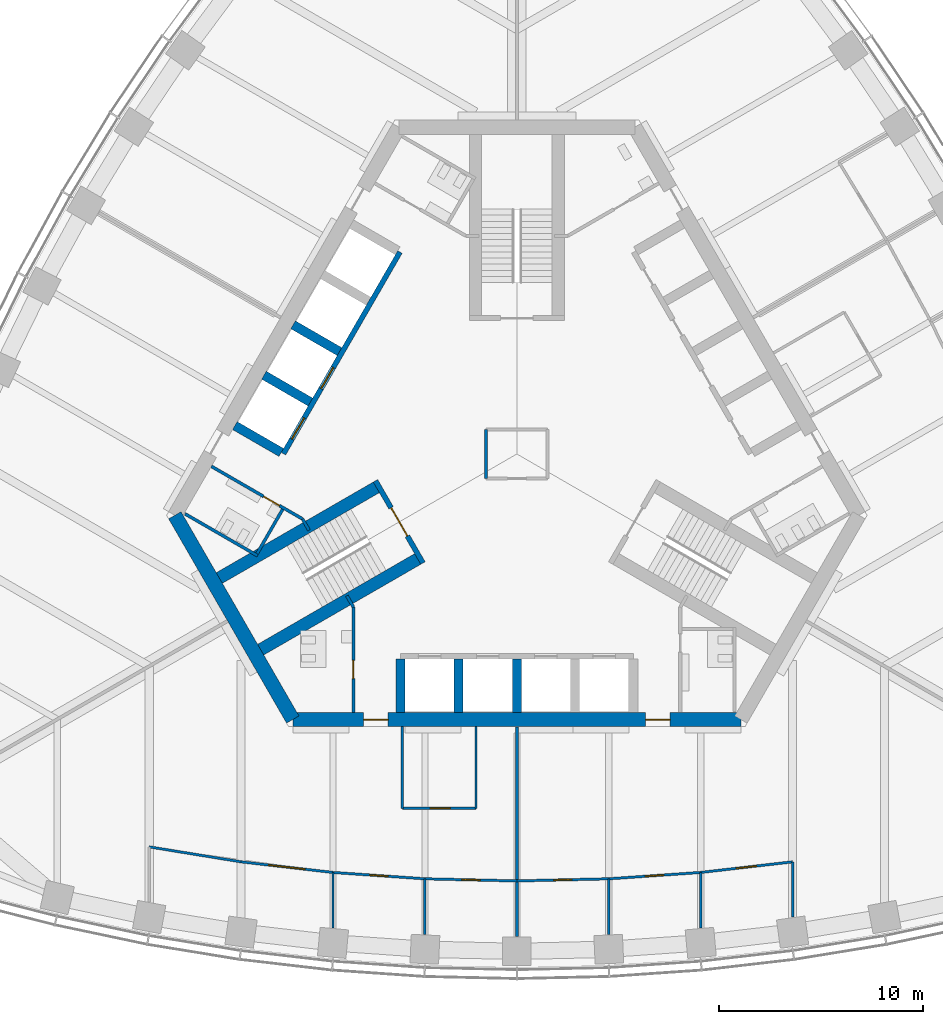
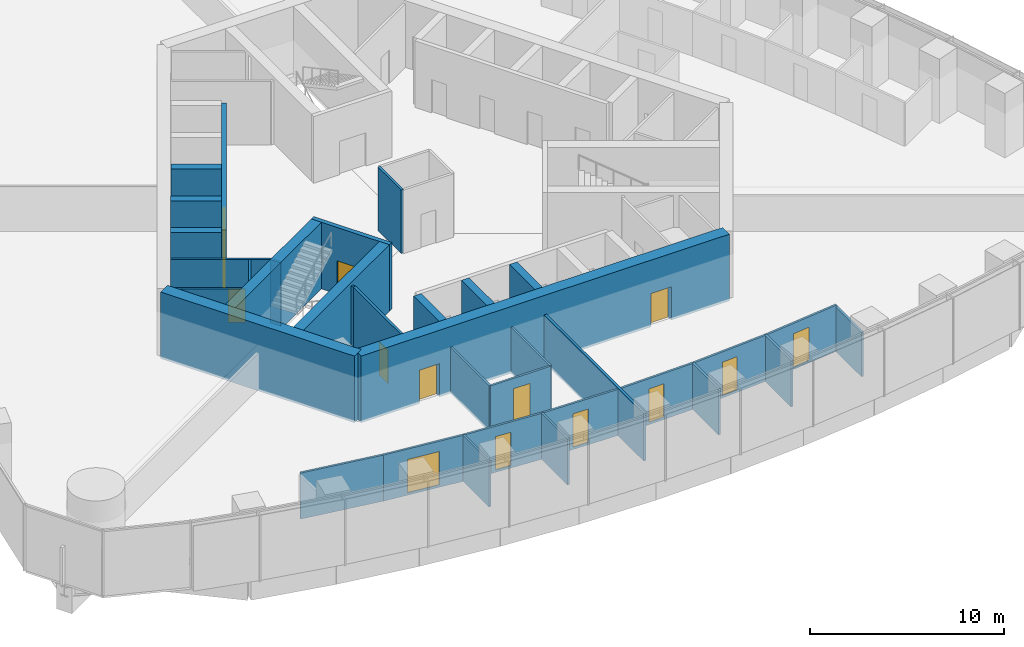
# One storey, part 11 of 18: 35 walls, 14 doors, 14 openings.
"""IFC4 building model written with IfcOpenShell, lengths in metres."""

from ifc_helpers import new_model, si_unit, direction, frame, frame_2d, origin, place, context, subcontext, project, spatial, rectangle, extrude, material, layer, layer_set, type_object, element, fill, save


model = new_model("IFC4")

# Units and contexts
model_context = context("Model", 3, precision=1e-05, world=origin(), true_north=direction((0.0, 1.0)))
body_context = subcontext(model_context, "Body", "Model", "MODEL_VIEW")
ifc_project = project(units=[si_unit("LENGTHUNIT", "METRE"), si_unit("AREAUNIT", "SQUARE_METRE"), si_unit("VOLUMEUNIT", "CUBIC_METRE"), si_unit("PLANEANGLEUNIT", "RADIAN"), si_unit("MASSUNIT", "GRAM", prefix="KILO")], contexts=[model_context])

# Site, building, storey
site_placement = place(None, origin())
site = spatial("IfcSite", under=ifc_project, at=site_placement, CompositionType="ELEMENT")
building_placement = place(site_placement, origin())
building = spatial("IfcBuilding", under=site, at=building_placement, Name="Trefoil Bronze Tower", CompositionType="ELEMENT")
storey_placement = place(building_placement, frame((0.0, 0.0, 252.699951171875)))
storey = spatial("IfcBuildingStorey", under=building, at=storey_placement, Name="L58", CompositionType="ELEMENT", Elevation=252.699951171875)

# Wall, openings, doors
ifc_material_1 = material(Name="Concrete B80", Category="concrete")
ifc_layer_1 = layer(ifc_material_1, 0.699951171875)
ifc_layer_set_1 = layer_set([ifc_layer_1], Name="Core wall 700")
wall_type_1 = type_object("IfcWallType", Name="Core wall 700", PredefinedType="SHEAR", material=ifc_layer_set_1)
wall_1_placement = place(storey_placement, frame((-10.9697265625, -13.0, 0.0), z_axis=(0.0, 0.0, 1.0), x_axis=(1.0, 0.0, 0.0)))
wall_1 = element("IfcWall", 1, at=wall_1_placement, inside=storey, type_object=wall_type_1, Name="Core long wall 1 L58", PredefinedType="SHEAR", context=body_context, shape_type="SweptSolid", body=[
    extrude(rectangle(XDim=21.939453125, YDim=0.699951171875, at=frame_2d((10.9697265625, 0.0))), origin(), (0.0, 0.0, 1.0), 4.199951171875),
])
opening_1_placement = place(wall_1_placement, frame((17.269775390625, 0.0, 0.0)))
opening_1 = element("IfcOpeningElement", 2, at=opening_1_placement, cuts=wall_1, Name="Opening D2", PredefinedType="OPENING", context=body_context, shape_type="SweptSolid", body=[
    extrude(rectangle(XDim=1.199951171875, YDim=2.10009765625, at=frame_2d((0.60009765625, 1.050048828125))), frame((0.0, 0.35986328125, 0.0), z_axis=(0.0, -1.0, 0.0), x_axis=(1.0, 0.0, 0.0)), (0.0, 0.0, 1.0), 0.719970703125),
])
opening_2_placement = place(wall_1_placement, frame((3.4697265625, 0.0, 0.0)))
opening_2 = element("IfcOpeningElement", 3, at=opening_2_placement, cuts=wall_1, Name="Opening D2", PredefinedType="OPENING", context=body_context, shape_type="SweptSolid", body=[
    extrude(rectangle(XDim=1.199951171875, YDim=2.10009765625, at=frame_2d((0.60009765625, 1.050048828125))), frame((0.0, 0.35986328125, 0.0), z_axis=(0.0, -1.0, 0.0), x_axis=(1.0, 0.0, 0.0)), (0.0, 0.0, 1.0), 0.719970703125),
])
ifc_material_2 = material(Name="Steel door", Category="steel")
door_type_1 = type_object("IfcDoorType", Name="Lobby door 1200", OperationType="SINGLE_SWING_RIGHT", PredefinedType="DOOR", material=ifc_material_2)
door_1_placement = place(opening_1_placement, origin())
door_1 = element("IfcDoor", 4, at=door_1_placement, inside=storey, type_object=door_type_1, Name="Lobby door F1+ L58", OperationType="SINGLE_SWING_RIGHT", OverallHeight=2.10009765625, OverallWidth=1.199951171875, PredefinedType="DOOR", context=body_context, shape_type="SweptSolid", body=[
    extrude(rectangle(XDim=1.199951171875, YDim=2.10009765625, at=frame_2d((0.60009765625, 1.050048828125))), frame((0.0, 0.02490234375, 0.0), z_axis=(0.0, -1.0, 0.0), x_axis=(1.0, 0.0, 0.0)), (0.0, 0.0, 1.0), 0.050048828125),
])
fill(opening_1, door_1)
door_2_placement = place(opening_2_placement, origin())
door_2 = element("IfcDoor", 5, at=door_2_placement, inside=storey, type_object=door_type_1, Name="Lobby door F1- L58", OperationType="SINGLE_SWING_LEFT", OverallHeight=2.10009765625, OverallWidth=1.199951171875, PredefinedType="DOOR", context=body_context, shape_type="SweptSolid", body=[
    extrude(rectangle(XDim=1.199951171875, YDim=2.10009765625, at=frame_2d((0.60009765625, 1.050048828125))), frame((0.0, 0.02490234375, 0.0), z_axis=(0.0, -1.0, 0.0), x_axis=(1.0, 0.0, 0.0)), (0.0, 0.0, 1.0), 0.050048828125),
])
fill(opening_2, door_2)

# Wall
wall_2_placement = place(storey_placement, frame((-16.7431640625, -3.0, 0.0), z_axis=(0.0, 0.0, 1.0), x_axis=(0.499995765644, -0.866027848477, 0.0)))
element("IfcWall", 6, at=wall_2_placement, inside=storey, type_object=wall_type_1, Name="Core short wall 3 L58", PredefinedType="SHEAR", context=body_context, shape_type="SweptSolid", body=[
    extrude(rectangle(XDim=11.546875, YDim=0.699951171875, at=frame_2d((5.7734375, 0.0))), origin(), (0.0, 0.0, 1.0), 4.199951171875),
])

# Wall, opening, door
ifc_material_3 = material(Name="Glazed partition", Category="glass")
ifc_layer_2 = layer(ifc_material_3, 0.1201171875)
ifc_layer_set_2 = layer_set([ifc_layer_2], Name="Glazed partition 120")
wall_type_2 = type_object("IfcWallType", Name="Glazed partition 120", PredefinedType="PARTITIONING", material=ifc_layer_set_2)
wall_3_placement = place(storey_placement, frame((-5.60009765625, -17.35009765625, 0.0), z_axis=(0.0, 0.0, 1.0), x_axis=(1.0, 0.0, 0.0)))
wall_3 = element("IfcWall", 7, at=wall_3_placement, inside=storey, type_object=wall_type_2, Name="Partition F1 L58", PredefinedType="PARTITIONING", context=body_context, shape_type="SweptSolid", body=[
    extrude(rectangle(XDim=3.60009765625, YDim=0.1201171875, at=frame_2d((1.800048828125, 0.0))), origin(), (0.0, 0.0, 1.0), 2.900146484375),
])
opening_3_placement = place(wall_3_placement, frame((1.35009765625, 0.0, 0.14990234375)))
opening_3 = element("IfcOpeningElement", 8, at=opening_3_placement, cuts=wall_3, Name="Opening D9", PredefinedType="OPENING", context=body_context, shape_type="SweptSolid", body=[
    extrude(rectangle(XDim=1.0, YDim=2.10009765625, at=frame_2d((0.5, 1.050048828125))), frame((0.0, 0.070068359375, 0.0), z_axis=(0.0, -1.0, 0.0), x_axis=(1.0, 0.0, 0.0)), (0.0, 0.0, 1.0), 0.14013671875),
])
ifc_material_4 = material(Name="Glazed timber door", Category="wood")
door_type_2 = type_object("IfcDoorType", Name="Meeting room door 1000", OperationType="SINGLE_SWING_LEFT", PredefinedType="DOOR", material=ifc_material_4)
door_3_placement = place(opening_3_placement, origin())
door_3 = element("IfcDoor", 9, at=door_3_placement, inside=storey, type_object=door_type_2, Name="Meeting room door F1 L58", OperationType="SINGLE_SWING_RIGHT", OverallHeight=2.10009765625, OverallWidth=1.0, PredefinedType="DOOR", context=body_context, shape_type="SweptSolid", body=[
    extrude(rectangle(XDim=1.0, YDim=2.10009765625, at=frame_2d((0.5, 1.050048828125))), frame((0.0, 0.02490234375, 0.0), z_axis=(0.0, -1.0, 0.0), x_axis=(1.0, 0.0, 0.0)), (0.0, 0.0, 1.0), 0.050048828125),
])
fill(opening_3, door_3)

# Walls
for number, where, z_axis, x_axis, name in (
    (10, (-2.0, -13.35009765625, 0.0), (0.0, 0.0, 1.0), (0.0, -1.0, 0.0), "Partition F1 L58"),
    (11, (-5.60009765625, -13.35009765625, 0.0), (0.0, 0.0, 1.0), (0.0, -1.0, 0.0), "Partition F1 L58"),
):
    element("IfcWall", number, at=place(storey_placement, frame(where, z_axis=z_axis, x_axis=x_axis)), inside=storey, type_object=wall_type_2, Name=name, PredefinedType="PARTITIONING", context=body_context, shape_type="SweptSolid", body=[
        extrude(rectangle(XDim=4.0, YDim=0.1201171875, at=frame_2d((2.0, 0.0))), origin(), (0.0, 0.0, 1.0), 2.900146484375),
    ])

# Wall, opening, door
wall_4_placement = place(storey_placement, frame((0.0, -20.900634765625, 0.0), z_axis=(0.0, 0.0, 1.0), x_axis=(0.99973552509, 0.022997388381, 0.0)))
wall_4 = element("IfcWall", 12, at=wall_4_placement, inside=storey, type_object=wall_type_2, Name="Partition F1 L58", PredefinedType="PARTITIONING", context=body_context, shape_type="SweptSolid", body=[
    extrude(rectangle(XDim=4.501220703125, YDim=0.1201171875, at=frame_2d((2.25048828125, 0.0))), origin(), (0.0, 0.0, 1.0), 2.900146484375),
])
opening_4_placement = place(wall_4_placement, frame((1.800048828125, 0.0, 0.14990234375)))
opening_4 = element("IfcOpeningElement", 13, at=opening_4_placement, cuts=wall_4, Name="Opening D8", PredefinedType="OPENING", context=body_context, shape_type="SweptSolid", body=[
    extrude(rectangle(XDim=0.89990234375, YDim=2.10009765625, at=frame_2d((0.449951171875, 1.050048828125))), frame((0.0, 0.070068359375, 0.0), z_axis=(0.0, -1.0, 0.0), x_axis=(1.0, 0.0, 0.0)), (0.0, 0.0, 1.0), 0.14013671875),
])
ifc_material_5 = material(Name="Timber door", Category="wood")
door_type_3 = type_object("IfcDoorType", Name="Office door 900", OperationType="SINGLE_SWING_LEFT", PredefinedType="DOOR", material=ifc_material_5)
door_4_placement = place(opening_4_placement, frame((0.89990234375, 0.0, 0.0), z_axis=(0.0, 0.0, 1.0), x_axis=(-1.0, 0.0, 0.0)))
door_4 = element("IfcDoor", 14, at=door_4_placement, inside=storey, type_object=door_type_3, Name="Office door F1 L58", OperationType="SINGLE_SWING_RIGHT", OverallHeight=2.10009765625, OverallWidth=0.89990234375, PredefinedType="DOOR", context=body_context, shape_type="SweptSolid", body=[
    extrude(rectangle(XDim=0.89990234375, YDim=2.10009765625, at=frame_2d((0.449951171875, 1.050048828125))), frame((0.0, 0.02490234375, 0.0), z_axis=(0.0, -1.0, 0.0), x_axis=(1.0, 0.0, 0.0)), (0.0, 0.0, 1.0), 0.050048828125),
])
fill(opening_4, door_4)

wall_5_placement = place(storey_placement, frame((4.5, -20.797119140625, 0.0), z_axis=(0.0, 0.0, 1.0), x_axis=(0.997623533978, 0.068900540297, 0.0)))
wall_5 = element("IfcWall", 15, at=wall_5_placement, inside=storey, type_object=wall_type_2, Name="Partition F1 L58", PredefinedType="PARTITIONING", context=body_context, shape_type="SweptSolid", body=[
    extrude(rectangle(XDim=4.5107421875, YDim=0.1201171875, at=frame_2d((2.25537109375, 0.0))), origin(), (0.0, 0.0, 1.0), 2.900146484375),
])
opening_5_placement = place(wall_5_placement, frame((1.800048828125, 0.0, 0.14990234375)))
opening_5 = element("IfcOpeningElement", 16, at=opening_5_placement, cuts=wall_5, Name="Opening D8", PredefinedType="OPENING", context=body_context, shape_type="SweptSolid", body=[
    extrude(rectangle(XDim=0.89990234375, YDim=2.10009765625, at=frame_2d((0.449951171875, 1.050048828125))), frame((0.0, 0.070068359375, 0.0), z_axis=(0.0, -1.0, 0.0), x_axis=(1.0, 0.0, 0.0)), (0.0, 0.0, 1.0), 0.14013671875),
])
door_5_placement = place(opening_5_placement, frame((0.89990234375, 0.0, 0.0), z_axis=(0.0, 0.0, 1.0), x_axis=(-1.0, 0.0, 0.0)))
door_5 = element("IfcDoor", 17, at=door_5_placement, inside=storey, type_object=door_type_3, Name="Office door F1 L58", OperationType="SINGLE_SWING_RIGHT", OverallHeight=2.10009765625, OverallWidth=0.89990234375, PredefinedType="DOOR", context=body_context, shape_type="SweptSolid", body=[
    extrude(rectangle(XDim=0.89990234375, YDim=2.10009765625, at=frame_2d((0.449951171875, 1.050048828125))), frame((0.0, 0.02490234375, 0.0), z_axis=(0.0, -1.0, 0.0), x_axis=(1.0, 0.0, 0.0)), (0.0, 0.0, 1.0), 0.050048828125),
])
fill(opening_5, door_5)

wall_6_placement = place(storey_placement, frame((9.0, -20.486328125, 0.0), z_axis=(0.0, 0.0, 1.0), x_axis=(0.993382946625, 0.114849124309, 0.0)))
wall_6 = element("IfcWall", 18, at=wall_6_placement, inside=storey, type_object=wall_type_2, Name="Partition F1 L58", PredefinedType="PARTITIONING", context=body_context, shape_type="SweptSolid", body=[
    extrude(rectangle(XDim=4.530029296875, YDim=0.1201171875, at=frame_2d((2.26513671875, 0.0))), origin(), (0.0, 0.0, 1.0), 2.900146484375),
])
opening_6_placement = place(wall_6_placement, frame((1.75, 0.0, 0.14990234375)))
opening_6 = element("IfcOpeningElement", 19, at=opening_6_placement, cuts=wall_6, Name="Opening D9", PredefinedType="OPENING", context=body_context, shape_type="SweptSolid", body=[
    extrude(rectangle(XDim=1.0, YDim=2.10009765625, at=frame_2d((0.5, 1.050048828125))), frame((0.0, 0.070068359375, 0.0), z_axis=(0.0, -1.0, 0.0), x_axis=(1.0, 0.0, 0.0)), (0.0, 0.0, 1.0), 0.14013671875),
])
door_6_placement = place(opening_6_placement, frame((1.0, 0.0, 0.0), z_axis=(0.0, 0.0, 1.0), x_axis=(-1.0, 0.0, 0.0)))
door_6 = element("IfcDoor", 20, at=door_6_placement, inside=storey, type_object=door_type_2, Name="Meeting room door F1 L58", OperationType="SINGLE_SWING_RIGHT", OverallHeight=2.10009765625, OverallWidth=1.0, PredefinedType="DOOR", context=body_context, shape_type="SweptSolid", body=[
    extrude(rectangle(XDim=1.0, YDim=2.10009765625, at=frame_2d((0.5, 1.050048828125))), frame((0.0, 0.02490234375, 0.0), z_axis=(0.0, -1.0, 0.0), x_axis=(1.0, 0.0, 0.0)), (0.0, 0.0, 1.0), 0.050048828125),
])
fill(opening_6, door_6)

wall_7_placement = place(storey_placement, frame((-13.5, -19.966064453125, 0.0), z_axis=(0.0, 0.0, 1.0), x_axis=(0.993382946625, -0.114849124309, 0.0)))
wall_7 = element("IfcWall", 21, at=wall_7_placement, inside=storey, type_object=wall_type_2, Name="Partition F1 L58", PredefinedType="PARTITIONING", context=body_context, shape_type="SweptSolid", body=[
    extrude(rectangle(XDim=4.530029296875, YDim=0.1201171875, at=frame_2d((2.26513671875, 0.0))), origin(), (0.0, 0.0, 1.0), 2.900146484375),
])
opening_7_placement = place(wall_7_placement, frame((1.35009765625, 0.0, 0.14990234375)))
opening_7 = element("IfcOpeningElement", 22, at=opening_7_placement, cuts=wall_7, Name="Opening D10", PredefinedType="OPENING", context=body_context, shape_type="SweptSolid", body=[
    extrude(rectangle(XDim=1.800048828125, YDim=2.10009765625, at=frame_2d((0.89990234375, 1.050048828125))), frame((0.0, 0.070068359375, 0.0), z_axis=(0.0, -1.0, 0.0), x_axis=(1.0, 0.0, 0.0)), (0.0, 0.0, 1.0), 0.14013671875),
])
ifc_material_6 = material(Name="Timber door", Category="wood")
door_type_4 = type_object("IfcDoorType", Name="Double door 1800", OperationType="DOUBLE_DOOR_SINGLE_SWING", PredefinedType="DOOR", material=ifc_material_6)
door_7_placement = place(opening_7_placement, frame((1.800048828125, 0.0, 0.0), z_axis=(0.0, 0.0, 1.0), x_axis=(-1.0, 0.0, 0.0)))
door_7 = element("IfcDoor", 23, at=door_7_placement, inside=storey, type_object=door_type_4, Name="Kitchen and breakout door F1 L58", OperationType="DOUBLE_DOOR_SINGLE_SWING", OverallHeight=2.10009765625, OverallWidth=1.800048828125, PredefinedType="DOOR", context=body_context, shape_type="SweptSolid", body=[
    extrude(rectangle(XDim=1.800048828125, YDim=2.10009765625, at=frame_2d((0.89990234375, 1.050048828125))), frame((0.0, 0.02490234375, 0.0), z_axis=(0.0, -1.0, 0.0), x_axis=(1.0, 0.0, 0.0)), (0.0, 0.0, 1.0), 0.050048828125),
])
fill(opening_7, door_7)

# Wall
wall_8_placement = place(storey_placement, frame((-18.0, -19.23291015625, 0.0), z_axis=(0.0, 0.0, 1.0), x_axis=(0.986986525477, -0.160802980469, 0.0)))
element("IfcWall", 24, at=wall_8_placement, inside=storey, type_object=wall_type_2, Name="Partition F1 L58", PredefinedType="PARTITIONING", context=body_context, shape_type="SweptSolid", body=[
    extrude(rectangle(XDim=4.559326171875, YDim=0.1201171875, at=frame_2d((2.27978515625, 0.0))), origin(), (0.0, 0.0, 1.0), 2.900146484375),
])

# Wall, opening, door
wall_9_placement = place(storey_placement, frame((-4.5, -20.797119140625, 0.0), z_axis=(0.0, 0.0, 1.0), x_axis=(0.99973552509, -0.022997388381, 0.0)))
wall_9 = element("IfcWall", 25, at=wall_9_placement, inside=storey, type_object=wall_type_2, Name="Partition F1 L58", PredefinedType="PARTITIONING", context=body_context, shape_type="SweptSolid", body=[
    extrude(rectangle(XDim=4.501220703125, YDim=0.1201171875, at=frame_2d((2.25048828125, 0.0))), origin(), (0.0, 0.0, 1.0), 2.900146484375),
])
opening_8_placement = place(wall_9_placement, frame((1.800048828125, 0.0, 0.14990234375)))
opening_8 = element("IfcOpeningElement", 26, at=opening_8_placement, cuts=wall_9, Name="Opening D8", PredefinedType="OPENING", context=body_context, shape_type="SweptSolid", body=[
    extrude(rectangle(XDim=0.89990234375, YDim=2.10009765625, at=frame_2d((0.449951171875, 1.050048828125))), frame((0.0, 0.070068359375, 0.0), z_axis=(0.0, -1.0, 0.0), x_axis=(1.0, 0.0, 0.0)), (0.0, 0.0, 1.0), 0.14013671875),
])
door_8_placement = place(opening_8_placement, frame((0.89990234375, 0.0, 0.0), z_axis=(0.0, 0.0, 1.0), x_axis=(-1.0, 0.0, 0.0)))
door_8 = element("IfcDoor", 27, at=door_8_placement, inside=storey, type_object=door_type_3, Name="Office door F1 L58", OperationType="SINGLE_SWING_RIGHT", OverallHeight=2.10009765625, OverallWidth=0.89990234375, PredefinedType="DOOR", context=body_context, shape_type="SweptSolid", body=[
    extrude(rectangle(XDim=0.89990234375, YDim=2.10009765625, at=frame_2d((0.449951171875, 1.050048828125))), frame((0.0, 0.02490234375, 0.0), z_axis=(0.0, -1.0, 0.0), x_axis=(1.0, 0.0, 0.0)), (0.0, 0.0, 1.0), 0.050048828125),
])
fill(opening_8, door_8)

wall_10_placement = place(storey_placement, frame((-9.0, -20.486328125, 0.0), z_axis=(0.0, 0.0, 1.0), x_axis=(0.997623533978, -0.068900540297, 0.0)))
wall_10 = element("IfcWall", 28, at=wall_10_placement, inside=storey, type_object=wall_type_2, Name="Partition F1 L58", PredefinedType="PARTITIONING", context=body_context, shape_type="SweptSolid", body=[
    extrude(rectangle(XDim=4.5107421875, YDim=0.1201171875, at=frame_2d((2.25537109375, 0.0))), origin(), (0.0, 0.0, 1.0), 2.900146484375),
])
opening_9_placement = place(wall_10_placement, frame((1.800048828125, 0.0, 0.14990234375)))
opening_9 = element("IfcOpeningElement", 29, at=opening_9_placement, cuts=wall_10, Name="Opening D8", PredefinedType="OPENING", context=body_context, shape_type="SweptSolid", body=[
    extrude(rectangle(XDim=0.89990234375, YDim=2.10009765625, at=frame_2d((0.449951171875, 1.050048828125))), frame((0.0, 0.070068359375, 0.0), z_axis=(0.0, -1.0, 0.0), x_axis=(1.0, 0.0, 0.0)), (0.0, 0.0, 1.0), 0.14013671875),
])
door_9_placement = place(opening_9_placement, frame((0.89990234375, 0.0, 0.0), z_axis=(0.0, 0.0, 1.0), x_axis=(-1.0, 0.0, 0.0)))
door_9 = element("IfcDoor", 30, at=door_9_placement, inside=storey, type_object=door_type_3, Name="Office door F1 L58", OperationType="SINGLE_SWING_RIGHT", OverallHeight=2.10009765625, OverallWidth=0.89990234375, PredefinedType="DOOR", context=body_context, shape_type="SweptSolid", body=[
    extrude(rectangle(XDim=0.89990234375, YDim=2.10009765625, at=frame_2d((0.449951171875, 1.050048828125))), frame((0.0, 0.02490234375, 0.0), z_axis=(0.0, -1.0, 0.0), x_axis=(1.0, 0.0, 0.0)), (0.0, 0.0, 1.0), 0.050048828125),
])
fill(opening_9, door_9)

# Walls
wall_11_placement = place(storey_placement, frame((13.5, -19.966064453125, 0.0), z_axis=(0.0, 0.0, 1.0), x_axis=(0.0, -1.0, 0.0)))
element("IfcWall", 31, at=wall_11_placement, inside=storey, type_object=wall_type_2, Name="Partition F1 L58", PredefinedType="PARTITIONING", context=body_context, shape_type="SweptSolid", body=[
    extrude(rectangle(XDim=2.705322265625, YDim=0.1201171875, at=frame_2d((1.3525390625, 0.0))), origin(), (0.0, 0.0, 1.0), 2.800048828125),
])
wall_12_placement = place(storey_placement, frame((4.5, -20.797119140625, 0.0), z_axis=(0.0, 0.0, 1.0), x_axis=(0.0, -1.0, 0.0)))
element("IfcWall", 32, at=wall_12_placement, inside=storey, type_object=wall_type_2, Name="Partition F1 L58", PredefinedType="PARTITIONING", context=body_context, shape_type="SweptSolid", body=[
    extrude(rectangle(XDim=2.718505859375, YDim=0.1201171875, at=frame_2d((1.359375, 0.0))), origin(), (0.0, 0.0, 1.0), 2.900146484375),
])
wall_13_placement = place(storey_placement, frame((9.0, -20.486328125, 0.0), z_axis=(0.0, 0.0, 1.0), x_axis=(0.0, -1.0, 0.0)))
element("IfcWall", 33, at=wall_13_placement, inside=storey, type_object=wall_type_2, Name="Partition F1 L58", PredefinedType="PARTITIONING", context=body_context, shape_type="SweptSolid", body=[
    extrude(rectangle(XDim=2.713623046875, YDim=0.1201171875, at=frame_2d((1.35693359375, 0.0))), origin(), (0.0, 0.0, 1.0), 2.900146484375),
])
wall_14_placement = place(storey_placement, frame((-4.5, -20.797119140625, 0.0), z_axis=(0.0, 0.0, 1.0), x_axis=(0.0, -1.0, 0.0)))
element("IfcWall", 34, at=wall_14_placement, inside=storey, type_object=wall_type_2, Name="Partition F1 L58", PredefinedType="PARTITIONING", context=body_context, shape_type="SweptSolid", body=[
    extrude(rectangle(XDim=2.718505859375, YDim=0.1201171875, at=frame_2d((1.359375, 0.0))), origin(), (0.0, 0.0, 1.0), 2.900146484375),
])
wall_15_placement = place(storey_placement, frame((-9.0, -20.486328125, 0.0), z_axis=(0.0, 0.0, 1.0), x_axis=(0.0, -1.0, 0.0)))
element("IfcWall", 35, at=wall_15_placement, inside=storey, type_object=wall_type_2, Name="Partition F1 L58", PredefinedType="PARTITIONING", context=body_context, shape_type="SweptSolid", body=[
    extrude(rectangle(XDim=2.713623046875, YDim=0.1201171875, at=frame_2d((1.35693359375, 0.0))), origin(), (0.0, 0.0, 1.0), 2.900146484375),
])
ifc_material_7 = material(Name="Concrete B80", Category="concrete")
ifc_layer_3 = layer(ifc_material_7, 0.449951171875)
ifc_layer_set_3 = layer_set([ifc_layer_3], Name="Outrigger shaft wall 450")
wall_type_3 = type_object("IfcWallType", Name="Outrigger shaft wall 450", PredefinedType="SHEAR", material=ifc_layer_set_3)
for number, where, z_axis, x_axis, name in (
    (36, (-5.699951171875, -10.02490234375, 0.0), (0.0, 0.0, 1.0), (0.0, -1.0, 0.0), "Lift shaft side wall A0 L58"),
    (37, (-2.85009765625, -10.02490234375, 0.0), (0.0, 0.0, 1.0), (0.0, -1.0, 0.0), "Lift shaft side wall A1 L58"),
    (38, (0.0, -10.02490234375, 0.0), (0.0, 0.0, 1.0), (0.0, -1.0, 0.0), "Lift shaft side wall A2 L58"),
    (39, (-8.681884765625, 5.012451171875, 0.0), (0.0, 0.0, 1.0), (-0.866036909293, 0.499980071345, 0.0), "Lift shaft side wall C2 L58"),
    (40, (-10.10693359375, 2.54443359375, 0.0), (0.0, 0.0, 1.0), (-0.866013657776, 0.500020344131, 0.0), "Lift shaft side wall C3 L58"),
    (41, (-11.531982421875, 0.076171875, 0.0), (0.0, 0.0, 1.0), (-0.866013657776, 0.500020344131, 0.0), "Lift shaft side wall C4 L58"),
):
    element("IfcWall", number, at=place(storey_placement, frame(where, z_axis=z_axis, x_axis=x_axis)), inside=storey, type_object=wall_type_3, Name=name, PredefinedType="SHEAR", context=body_context, shape_type="SweptSolid", body=[
        extrude(rectangle(XDim=2.625, YDim=0.449951171875, at=frame_2d((1.3125, 0.0))), origin(), (0.0, 0.0, 1.0), 4.199951171875),
    ])

# Wall, opening, door
ifc_material_8 = material(Name="Gypsum board on steel studs", Category="steel")
ifc_layer_4 = layer(ifc_material_8, 0.14990234375)
ifc_layer_set_4 = layer_set([ifc_layer_4], Name="Partition 150")
wall_type_4 = type_object("IfcWallType", Name="Partition 150", PredefinedType="PARTITIONING", material=ifc_layer_set_4)
wall_16_placement = place(storey_placement, frame((-8.0, -7.5, 0.0), z_axis=(0.0, 0.0, 1.0), x_axis=(0.0, -1.0, 0.0)))
wall_16 = element("IfcWall", 42, at=wall_16_placement, inside=storey, type_object=wall_type_4, Name="Passage wall F1- L58", PredefinedType="PARTITIONING", context=body_context, shape_type="SweptSolid", body=[
    extrude(rectangle(XDim=5.14990234375, YDim=0.14990234375, at=frame_2d((2.574951171875, 0.0))), origin(), (0.0, 0.0, 1.0), 4.0),
])
opening_10_placement = place(wall_16_placement, frame((2.60009765625, 0.0, 0.0)))
opening_10 = element("IfcOpeningElement", 43, at=opening_10_placement, cuts=wall_16, Name="Opening D3", PredefinedType="OPENING", context=body_context, shape_type="SweptSolid", body=[
    extrude(rectangle(XDim=0.89990234375, YDim=2.10009765625, at=frame_2d((0.449951171875, 1.050048828125))), frame((0.0, 0.0849609375, 0.0), z_axis=(0.0, -1.0, 0.0), x_axis=(1.0, 0.0, 0.0)), (0.0, 0.0, 1.0), 0.169921875),
])
ifc_material_9 = material(Name="Timber door", Category="wood")
door_type_5 = type_object("IfcDoorType", Name="WC door 900", OperationType="SINGLE_SWING_LEFT", PredefinedType="DOOR", material=ifc_material_9)
door_10_placement = place(opening_10_placement, frame((0.89990234375, 0.0, 0.0), z_axis=(0.0, 0.0, 1.0), x_axis=(-1.0, 0.0, 0.0)))
door_10 = element("IfcDoor", 44, at=door_10_placement, inside=storey, type_object=door_type_5, Name="WC (women) door L58", OperationType="SINGLE_SWING_LEFT", OverallHeight=2.10009765625, OverallWidth=0.89990234375, PredefinedType="DOOR", context=body_context, shape_type="SweptSolid", body=[
    extrude(rectangle(XDim=0.89990234375, YDim=2.10009765625, at=frame_2d((0.449951171875, 1.050048828125))), frame((0.0, 0.02490234375, 0.0), z_axis=(0.0, -1.0, 0.0), x_axis=(1.0, 0.0, 0.0)), (0.0, 0.0, 1.0), 0.050048828125),
])
fill(opening_10, door_10)

wall_17_placement = place(storey_placement, frame((-10.4951171875, -3.17822265625, 0.0), z_axis=(0.0, 0.0, 1.0), x_axis=(-0.866037967349, 0.499978238636, 0.0)))
wall_17 = element("IfcWall", 45, at=wall_17_placement, inside=storey, type_object=wall_type_4, Name="Passage wall F3+ L58", PredefinedType="PARTITIONING", context=body_context, shape_type="SweptSolid", body=[
    extrude(rectangle(XDim=5.150146484375, YDim=0.14990234375, at=frame_2d((2.5751953125, 0.0))), origin(), (0.0, 0.0, 1.0), 4.0),
])
opening_11_placement = place(wall_17_placement, frame((1.300048828125, 0.0, 0.0)))
opening_11 = element("IfcOpeningElement", 46, at=opening_11_placement, cuts=wall_17, Name="Opening D3", PredefinedType="OPENING", context=body_context, shape_type="SweptSolid", body=[
    extrude(rectangle(XDim=0.89990234375, YDim=2.10009765625, at=frame_2d((0.449951171875, 1.050048828125))), frame((0.0, 0.0849609375, 0.0), z_axis=(0.0, -1.0, 0.0), x_axis=(1.0, 0.0, 0.0)), (0.0, 0.0, 1.0), 0.169921875),
])
door_11_placement = place(opening_11_placement, origin())
door_11 = element("IfcDoor", 47, at=door_11_placement, inside=storey, type_object=door_type_5, Name="WC (men) door L58", OperationType="SINGLE_SWING_LEFT", OverallHeight=2.10009765625, OverallWidth=0.89990234375, PredefinedType="DOOR", context=body_context, shape_type="SweptSolid", body=[
    extrude(rectangle(XDim=0.89990234375, YDim=2.10009765625, at=frame_2d((0.449951171875, 1.050048828125))), frame((0.0, 0.02490234375, 0.0), z_axis=(0.0, -1.0, 0.0), x_axis=(1.0, 0.0, 0.0)), (0.0, 0.0, 1.0), 0.050048828125),
])
fill(opening_11, door_11)

# Walls
for number, where, z_axis, x_axis, name in (
    (48, (-10.4951171875, -3.17822265625, 0.0), (0.0, 0.0, 1.0), (0.499842556608, -0.866116284689, 0.0), "WC wall ST3-1 L58"),
    (49, (-8.0, -7.5, 0.0), (0.0, 0.0, 1.0), (-0.499842556608, 0.866116284689, 0.0), "WC wall ST3+1 L58"),
):
    element("IfcWall", number, at=place(storey_placement, frame(where, z_axis=z_axis, x_axis=x_axis)), inside=storey, type_object=wall_type_4, Name=name, PredefinedType="PARTITIONING", context=body_context, shape_type="SweptSolid", body=[
        extrude(rectangle(XDim=0.645263671875, YDim=0.14990234375, at=frame_2d((0.32275390625, 0.0))), origin(), (0.0, 0.0, 1.0), 4.0),
    ])
wall_18_placement = place(storey_placement, frame((-12.691162109375, -4.98193359375, 0.0), z_axis=(0.0, 0.0, 1.0), x_axis=(-0.8660249478, 0.500000789788, 0.0)))
element("IfcWall", 50, at=wall_18_placement, inside=storey, type_object=wall_type_4, Name="WC partition WC (men) L58", PredefinedType="PARTITIONING", context=body_context, shape_type="SweptSolid", body=[
    extrude(rectangle(XDim=4.10009765625, YDim=0.14990234375, at=frame_2d((2.050048828125, 0.0))), origin(), (0.0, 0.0, 1.0), 4.0),
])
wall_19_placement = place(storey_placement, frame((-11.463623046875, -2.70556640625, 0.0), z_axis=(0.0, 0.0, 1.0), x_axis=(-0.50001992892, -0.866013897511, 0.0)))
element("IfcWall", 51, at=wall_19_placement, inside=storey, type_object=wall_type_4, Name="WC partition WC (men) L58", PredefinedType="PARTITIONING", context=body_context, shape_type="SweptSolid", body=[
    extrude(rectangle(XDim=2.51025390625, YDim=0.14990234375, at=frame_2d((1.255126953125, 0.0))), origin(), (0.0, 0.0, 1.0), 4.0),
])
ifc_material_10 = material(Name="Gypsum board on steel studs", Category="steel")
ifc_layer_5 = layer(ifc_material_10, 0.14990234375)
ifc_layer_set_5 = layer_set([ifc_layer_5], Name="Party wall 150")
wall_type_5 = type_object("IfcWallType", Name="Party wall 150", PredefinedType="PARTITIONING", material=ifc_layer_set_5)
wall_20_placement = place(storey_placement, frame((0.0, -13.360107421875, 0.0), z_axis=(0.0, 0.0, 1.0), x_axis=(0.0, -1.0, 0.0)))
element("IfcWall", 52, at=wall_20_placement, inside=storey, type_object=wall_type_5, Name="Demising wall F1 L58", PredefinedType="PARTITIONING", context=body_context, shape_type="SweptSolid", body=[
    extrude(rectangle(XDim=10.260498046875, YDim=0.14990234375, at=frame_2d((5.13037109375, 0.0))), origin(), (0.0, 0.0, 1.0), 2.991943359375),
])
ifc_material_11 = material(Name="Gypsum board on steel studs", Category="steel")
ifc_layer_6 = layer(ifc_material_11, 0.14990234375)
ifc_layer_set_6 = layer_set([ifc_layer_6], Name="Riser wall 150")
wall_type_6 = type_object("IfcWallType", Name="Riser wall 150", PredefinedType="PARTITIONING", material=ifc_layer_set_6)
wall_21_placement = place(storey_placement, frame((-1.5, 1.199951171875, 0.0), z_axis=(0.0, 0.0, 1.0), x_axis=(0.0, -1.0, 0.0)))
element("IfcWall", 53, at=wall_21_placement, inside=storey, type_object=wall_type_6, Name="Riser wall L58", PredefinedType="PARTITIONING", context=body_context, shape_type="SweptSolid", body=[
    extrude(rectangle(XDim=2.39990234375, YDim=0.14990234375, at=frame_2d((1.199951171875, 0.0))), origin(), (0.0, 0.0, 1.0), 4.0),
])

# Wall, openings, doors
ifc_material_12 = material(Name="Concrete B80", Category="concrete")
ifc_layer_7 = layer(ifc_material_12, 0.25)
ifc_layer_set_7 = layer_set([ifc_layer_7], Name="Shaft wall 250")
wall_type_7 = type_object("IfcWallType", Name="Shaft wall 250", PredefinedType="SHEAR", material=ifc_layer_set_7)
wall_22_placement = place(storey_placement, frame((-5.7236328125, 9.88623046875, 0.0), z_axis=(0.0, 0.0, 1.0), x_axis=(-0.500001763848, -0.866024385424, 0.0)))
wall_22 = element("IfcWall", 54, at=wall_22_placement, inside=storey, type_object=wall_type_7, Name="Lift shaft front wall C L58", PredefinedType="SHEAR", context=body_context, shape_type="SweptSolid", body=[
    extrude(rectangle(XDim=11.39990234375, YDim=0.25, at=frame_2d((5.699951171875, 0.0))), origin(), (0.0, 0.0, 1.0), 4.199951171875),
])
opening_12_placement = place(wall_22_placement, frame((6.52490234375, 0.0, 0.0)))
opening_12 = element("IfcOpeningElement", 55, at=opening_12_placement, cuts=wall_22, Name="Opening LD-FL1", PredefinedType="OPENING", context=body_context, shape_type="SweptSolid", body=[
    extrude(rectangle(XDim=1.199951171875, YDim=2.199951171875, at=frame_2d((0.60009765625, 1.10009765625))), frame((0.0, 0.135009765625, 0.0), z_axis=(0.0, -1.0, 0.0), x_axis=(1.0, 0.0, 0.0)), (0.0, 0.0, 1.0), 0.27001953125),
])
opening_13_placement = place(wall_22_placement, frame((9.375, 0.0, 0.0)))
opening_13 = element("IfcOpeningElement", 56, at=opening_13_placement, cuts=wall_22, Name="Opening LD-FL2", PredefinedType="OPENING", context=body_context, shape_type="SweptSolid", body=[
    extrude(rectangle(XDim=1.199951171875, YDim=2.199951171875, at=frame_2d((0.60009765625, 1.10009765625))), frame((0.0, 0.135009765625, 0.0), z_axis=(0.0, -1.0, 0.0), x_axis=(1.0, 0.0, 0.0)), (0.0, 0.0, 1.0), 0.27001953125),
])
ifc_material_13 = material(Name="Steel door", Category="steel")
door_type_6 = type_object("IfcDoorType", Name="Lift landing door 1200", OperationType="DOUBLE_DOOR_SLIDING", PredefinedType="DOOR", material=ifc_material_13)
door_12_placement = place(opening_12_placement, origin())
door_12 = element("IfcDoor", 57, at=door_12_placement, inside=storey, type_object=door_type_6, Name="Lift FL1 landing door L58", OperationType="DOUBLE_DOOR_SLIDING", OverallHeight=2.199951171875, OverallWidth=1.199951171875, PredefinedType="DOOR", context=body_context, shape_type="SweptSolid", body=[
    extrude(rectangle(XDim=1.199951171875, YDim=2.199951171875, at=frame_2d((0.60009765625, 1.10009765625))), frame((0.0, 0.02490234375, 0.0), z_axis=(0.0, -1.0, 0.0), x_axis=(1.0, 0.0, 0.0)), (0.0, 0.0, 1.0), 0.050048828125),
])
fill(opening_12, door_12)
door_13_placement = place(opening_13_placement, origin())
door_13 = element("IfcDoor", 58, at=door_13_placement, inside=storey, type_object=door_type_6, Name="Lift FL2 landing door L58", OperationType="DOUBLE_DOOR_SLIDING", OverallHeight=2.199951171875, OverallWidth=1.199951171875, PredefinedType="DOOR", context=body_context, shape_type="SweptSolid", body=[
    extrude(rectangle(XDim=1.199951171875, YDim=2.199951171875, at=frame_2d((0.60009765625, 1.10009765625))), frame((0.0, 0.02490234375, 0.0), z_axis=(0.0, -1.0, 0.0), x_axis=(1.0, 0.0, 0.0)), (0.0, 0.0, 1.0), 0.050048828125),
])
fill(opening_13, door_13)

# Wall, opening, door
wall_23_placement = place(storey_placement, frame((-6.921630859375, -1.3115234375, 0.0), z_axis=(0.0, 0.0, 1.0), x_axis=(0.499984536904, -0.866034331223, 0.0)))
wall_23 = element("IfcWall", 59, at=wall_23_placement, inside=storey, type_object=wall_type_7, Name="Stair end wall ST3 L58", PredefinedType="SHEAR", context=body_context, shape_type="SweptSolid", body=[
    extrude(rectangle(XDim=4.650146484375, YDim=0.25, at=frame_2d((2.3251953125, 0.0))), origin(), (0.0, 0.0, 1.0), 4.199951171875),
])
opening_14_placement = place(wall_23_placement, frame((1.52490234375, 0.0, 0.0)))
opening_14 = element("IfcOpeningElement", 60, at=opening_14_placement, cuts=wall_23, Name="Opening D1", PredefinedType="OPENING", context=body_context, shape_type="SweptSolid", body=[
    extrude(rectangle(XDim=1.60009765625, YDim=2.10009765625, at=frame_2d((0.800048828125, 1.050048828125))), frame((0.0, 0.135009765625, 0.0), z_axis=(0.0, -1.0, 0.0), x_axis=(1.0, 0.0, 0.0)), (0.0, 0.0, 1.0), 0.27001953125),
])
ifc_material_14 = material(Name="Steel door", Category="steel")
door_type_7 = type_object("IfcDoorType", Name="Stair door 1600", OperationType="DOUBLE_DOOR_SINGLE_SWING", PredefinedType="DOOR", material=ifc_material_14)
door_14_placement = place(opening_14_placement, frame((1.60009765625, 0.0, 0.0), z_axis=(0.0, 0.0, 1.0), x_axis=(-1.0, 0.0, 0.0)))
door_14 = element("IfcDoor", 61, at=door_14_placement, inside=storey, type_object=door_type_7, Name="Stair door ST3 L58", OperationType="DOUBLE_DOOR_SINGLE_SWING", OverallHeight=2.10009765625, OverallWidth=1.60009765625, PredefinedType="DOOR", context=body_context, shape_type="SweptSolid", body=[
    extrude(rectangle(XDim=1.60009765625, YDim=2.10009765625, at=frame_2d((0.800048828125, 1.050048828125))), frame((0.0, 0.02490234375, 0.0), z_axis=(0.0, -1.0, 0.0), x_axis=(1.0, 0.0, 0.0)), (0.0, 0.0, 1.0), 0.050048828125),
])
fill(opening_14, door_14)

# Walls
ifc_material_15 = material(Name="Concrete B80", Category="concrete")
ifc_layer_8 = layer(ifc_material_15, 0.60009765625)
ifc_layer_set_8 = layer_set([ifc_layer_8], Name="Stair wall 600")
wall_type_8 = type_object("IfcWallType", Name="Stair wall 600", PredefinedType="SHEAR", material=ifc_layer_set_8)
for number, where, z_axis, x_axis, name in (
    (62, (-6.663330078125, -1.5087890625, 0.0), (0.0, 0.0, 1.0), (-0.866028310072, -0.499994966129, 0.0), "Stair wall ST3 L58"),
    (63, (-4.638427734375, -5.01611328125, 0.0), (0.0, 0.0, 1.0), (-0.866021621257, -0.500006551472, 0.0), "Stair wall ST3 L58"),
):
    element("IfcWall", number, at=place(storey_placement, frame(where, z_axis=z_axis, x_axis=x_axis)), inside=storey, type_object=wall_type_8, Name=name, PredefinedType="SHEAR", context=body_context, shape_type="SweptSolid", body=[
        extrude(rectangle(XDim=9.125, YDim=0.60009765625, at=frame_2d((4.5625, 0.0))), origin(), (0.0, 0.0, 1.0), 4.199951171875),
    ])

save(model, "model.ifc")
